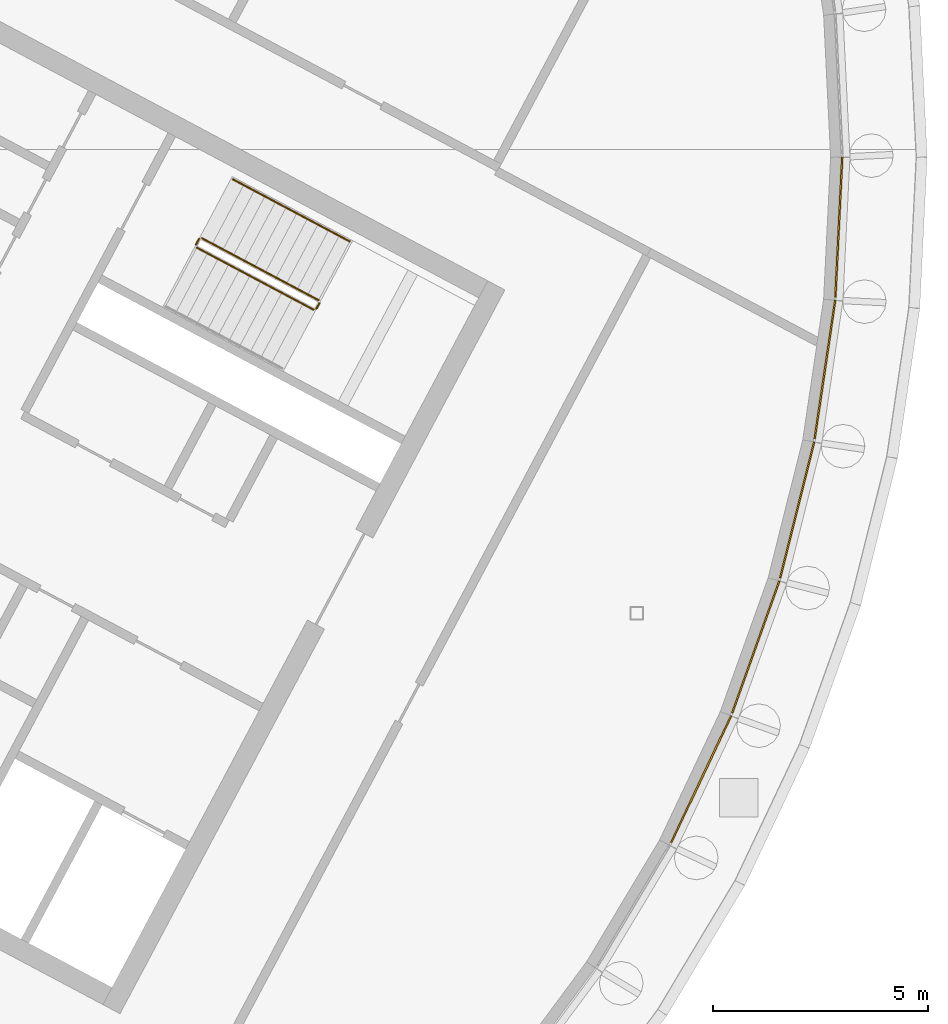
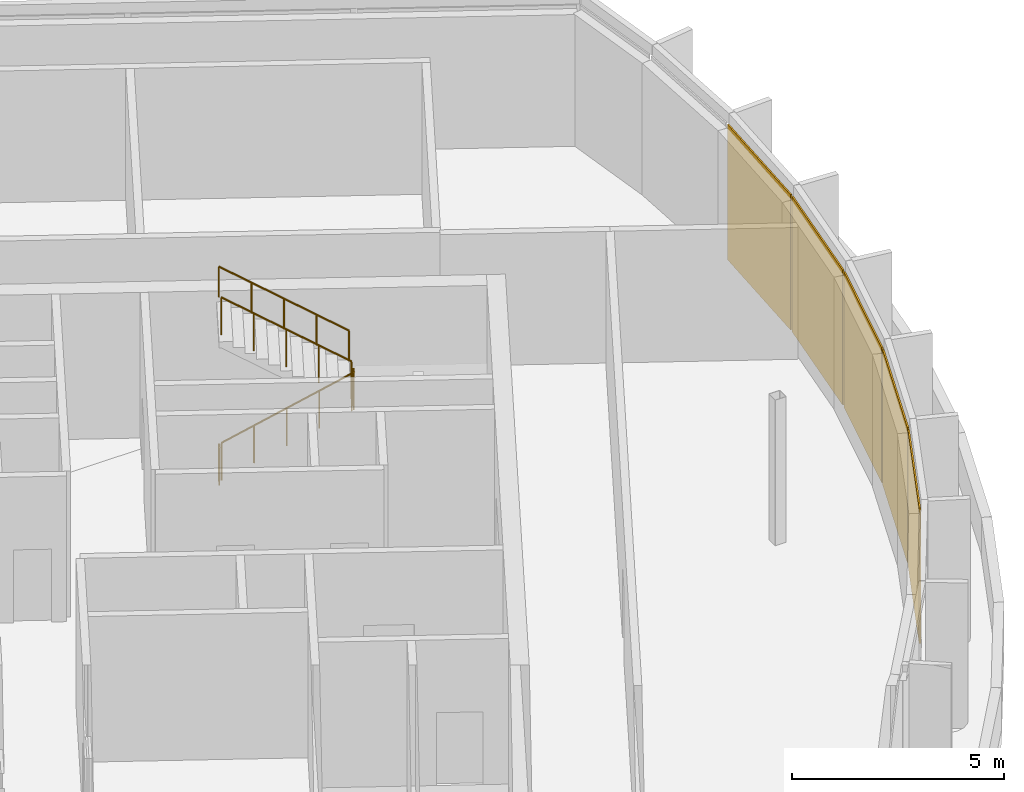
# One storey, part 12 of 13: 5 coverings, 5 railings, 5 elements without a shape of their own.
"""IFC4 building model written with IfcOpenShell, lengths in metres."""

from ifc_helpers import new_model, si_unit, direction, frame, origin, origin_2d, place, context, subcontext, project, spatial, polyline, rectangle, outline, extrude, material, layer, layer_set, type_object, element, aggregate, save


model = new_model("IFC4")

# Units and contexts
model_context = context("Model", 3, precision=1e-05, world=origin(), true_north=direction((0.0, 1.0)))
body_context = subcontext(model_context, "Body", "Model", "MODEL_VIEW")
ifc_project = project(units=[si_unit("LENGTHUNIT", "METRE"), si_unit("AREAUNIT", "SQUARE_METRE"), si_unit("VOLUMEUNIT", "CUBIC_METRE"), si_unit("PLANEANGLEUNIT", "RADIAN"), si_unit("MASSUNIT", "GRAM", prefix="KILO")], contexts=[model_context])

# Site, building, storey
site_placement = place(None, origin())
site = spatial("IfcSite", under=ifc_project, at=site_placement, CompositionType="ELEMENT")
building_placement = place(site_placement, origin())
building = spatial("IfcBuilding", under=site, at=building_placement, Name="Cormorant Relay Tower", CompositionType="ELEMENT")
storey_placement = place(building_placement, frame((0.0, 0.0, 353.39990234375)))
storey = spatial("IfcBuildingStorey", under=building, at=storey_placement, Name="C7", CompositionType="ELEMENT", Elevation=353.39990234375)

# Curtain wall, covering
ifc_material_1 = material(Name="Aluminium 6063-T6 anodised bronze", Category="aluminium")
ifc_layer_1 = layer(ifc_material_1, 0.199951171875)
ifc_layer_set_1 = layer_set([ifc_layer_1], Name="CW3 crown screen wall")
curtain_wall_type = type_object("IfcCurtainWallType", Name="CW3 crown screen wall", PredefinedType="NOTDEFINED", material=ifc_layer_set_1)
curtain_wall_1_placement = place(storey_placement, origin())
curtain_wall_1 = element("IfcCurtainWall", 1, at=curtain_wall_1_placement, inside=storey, type_object=curtain_wall_type, Name="CW3 curtain wall 9", PredefinedType="NOTDEFINED")
ifc_material_2 = material(Name="Perforated bronze anodised aluminium screen", Category="aluminium")
ifc_layer_2 = layer(ifc_material_2, 0.0400390625)
ifc_layer_set_2 = layer_set([ifc_layer_2], Name="CW3 perforated bronze screen panel 40")
covering_type = type_object("IfcCoveringType", Name="CW3 perforated bronze screen panel 40", PredefinedType="CLADDING", material=ifc_layer_set_2)
covering_1_placement = place(storey_placement, frame((-9.0, 6.632080078125, 0.000244140625), z_axis=(0.0, 0.0, 1.0), x_axis=(0.42755509343, 0.903989293123, 0.0)))
covering_1 = element("IfcCovering", 2, at=covering_1_placement, type_object=covering_type, Name="CW3 panel X00", PredefinedType="CLADDING", context=body_context, shape_type="SweptSolid", body=[
    extrude(rectangle(XDim=3.26171875, YDim=0.0400390625, at=origin_2d()), origin(), (0.0, 0.0, 1.0), 3.89990234375),
])
aggregate(curtain_wall_1, [covering_1])

curtain_wall_2_placement = place(storey_placement, origin())
curtain_wall_2 = element("IfcCurtainWall", 3, at=curtain_wall_2_placement, inside=storey, type_object=curtain_wall_type, Name="CW3 curtain wall 10", PredefinedType="NOTDEFINED")
covering_2_placement = place(storey_placement, frame((-7.727294921875, 9.71435546875, 0.000244140625), z_axis=(0.0, 0.0, 1.0), x_axis=(0.336889853392, 0.941544065183, 0.0)))
covering_2 = element("IfcCovering", 4, at=covering_2_placement, type_object=covering_type, Name="CW3 panel X00", PredefinedType="CLADDING", context=body_context, shape_type="SweptSolid", body=[
    extrude(rectangle(XDim=3.26171875, YDim=0.0400390625, at=origin_2d()), origin(), (0.0, 0.0, 1.0), 3.89990234375),
])
aggregate(curtain_wall_2, [covering_2])

curtain_wall_3_placement = place(storey_placement, origin())
curtain_wall_3 = element("IfcCurtainWall", 5, at=curtain_wall_3_placement, inside=storey, type_object=curtain_wall_type, Name="CW3 curtain wall 11", PredefinedType="NOTDEFINED")
covering_3_placement = place(storey_placement, frame((-6.7626953125, 12.906494140625, 0.000244140625), z_axis=(0.0, 0.0, 1.0), x_axis=(0.242980179903, 0.970031253195, 0.0)))
covering_3 = element("IfcCovering", 6, at=covering_3_placement, type_object=covering_type, Name="CW3 panel X00", PredefinedType="CLADDING", context=body_context, shape_type="SweptSolid", body=[
    extrude(rectangle(XDim=3.26171875, YDim=0.0400390625, at=origin_2d()), origin(), (0.0, 0.0, 1.0), 3.89990234375),
])
aggregate(curtain_wall_3, [covering_3])

curtain_wall_4_placement = place(storey_placement, origin())
curtain_wall_4 = element("IfcCurtainWall", 7, at=curtain_wall_4_placement, inside=storey, type_object=curtain_wall_type, Name="CW3 curtain wall 12", PredefinedType="NOTDEFINED")
covering_4_placement = place(storey_placement, frame((-6.115966796875, 16.177490234375, 0.000244140625), z_axis=(0.0, 0.0, 1.0), x_axis=(0.146730474455, 0.989176509965, 0.0)))
covering_4 = element("IfcCovering", 8, at=covering_4_placement, type_object=covering_type, Name="CW3 panel X00", PredefinedType="CLADDING", context=body_context, shape_type="SweptSolid", body=[
    extrude(rectangle(XDim=3.26171875, YDim=0.0400390625, at=origin_2d()), origin(), (0.0, 0.0, 1.0), 3.89990234375),
])
aggregate(curtain_wall_4, [covering_4])

curtain_wall_5_placement = place(storey_placement, origin())
curtain_wall_5 = element("IfcCurtainWall", 9, at=curtain_wall_5_placement, inside=storey, type_object=curtain_wall_type, Name="CW3 curtain wall 13", PredefinedType="NOTDEFINED")
covering_5_placement = place(storey_placement, frame((-5.792724609375, 19.496337890625, 0.000244140625), z_axis=(0.0, 0.0, 1.0), x_axis=(0.049067674327, 0.998795456205, 0.0)))
covering_5 = element("IfcCovering", 10, at=covering_5_placement, type_object=covering_type, Name="CW3 panel X00", PredefinedType="CLADDING", context=body_context, shape_type="SweptSolid", body=[
    extrude(rectangle(XDim=3.26171875, YDim=0.0400390625, at=origin_2d()), origin(), (0.0, 0.0, 1.0), 3.89990234375),
])
aggregate(curtain_wall_5, [covering_5])

# Railings
ifc_material_3 = material(Name="Steel ASTM A572 Grade 50 (Fy 345 MPa)", Category="steel")
railing_type_1 = type_object("IfcRailingType", Name="Stair guard 1100", PredefinedType="GUARDRAIL", material=ifc_material_3)
railing_1_placement = place(storey_placement, frame((-20.75048828125, 19.017822265625, 0.175048828125)))
element("IfcRailing", 11, at=railing_1_placement, inside=storey, type_object=railing_type_1, Name="C7 A1 stair guard 1", PredefinedType="GUARDRAIL", context=body_context, shape_type="SweptSolid", body=[
    extrude(outline(polyline([(0.022216796875, 0.00927734375), (0.00927734375, 0.022216796875), (-0.00927734375, 0.022216796875), (-0.022216796875, 0.00927734375), (-0.022216796875, -0.00927734375), (-0.00927734375, -0.022216796875), (0.00927734375, -0.022216796875), (0.022216796875, -0.00927734375), (0.022216796875, 0.00927734375)])), frame((0.0, 0.0, 1.076171875), z_axis=(0.748747275397, -0.39806817173, 0.530018158408), x_axis=(0.469427602063, 0.882970965786, 0.0)), (0.0, 0.0, 1.0), 3.632080078125),
    extrude(outline(polyline([(0.019287109375, 0.008056640625), (0.008056640625, 0.019287109375), (-0.008056640625, 0.019287109375), (-0.019287109375, 0.008056640625), (-0.019287109375, -0.008056640625), (-0.008056640625, -0.019287109375), (0.008056640625, -0.019287109375), (0.019287109375, -0.008056640625), (0.019287109375, 0.008056640625)])), origin(), (0.0, 0.0, 1.0), 1.052001953125),
    extrude(outline(polyline([(0.019287109375, 0.008056640625), (0.008056640625, 0.019287109375), (-0.008056640625, 0.019287109375), (-0.019287109375, 0.008056640625), (-0.019287109375, -0.008056640625), (-0.008056640625, -0.019287109375), (0.008056640625, -0.019287109375), (0.019287109375, -0.008056640625), (0.019287109375, 0.008056640625)])), frame((0.679931640625, -0.361328125, 0.481201171875)), (0.0, 0.0, 1.0), 1.052001953125),
    extrude(outline(polyline([(0.019287109375, 0.008056640625), (0.008056640625, 0.019287109375), (-0.008056640625, 0.019287109375), (-0.019287109375, 0.008056640625), (-0.019287109375, -0.008056640625), (-0.008056640625, -0.019287109375), (0.008056640625, -0.019287109375), (0.019287109375, -0.008056640625), (0.019287109375, 0.008056640625)])), frame((1.35986328125, -0.722900390625, 0.96240234375)), (0.0, 0.0, 1.0), 1.052001953125),
    extrude(outline(polyline([(0.019287109375, 0.008056640625), (0.008056640625, 0.019287109375), (-0.008056640625, 0.019287109375), (-0.019287109375, 0.008056640625), (-0.019287109375, -0.008056640625), (-0.008056640625, -0.019287109375), (0.008056640625, -0.019287109375), (0.019287109375, -0.008056640625), (0.019287109375, 0.008056640625)])), frame((2.03955078125, -1.08447265625, 1.44384765625)), (0.0, 0.0, 1.0), 1.052001953125),
    extrude(outline(polyline([(0.019287109375, 0.008056640625), (0.008056640625, 0.019287109375), (-0.008056640625, 0.019287109375), (-0.019287109375, 0.008056640625), (-0.019287109375, -0.008056640625), (-0.008056640625, -0.019287109375), (0.008056640625, -0.019287109375), (0.019287109375, -0.008056640625), (0.019287109375, 0.008056640625)])), frame((2.719482421875, -1.44580078125, 1.925048828125)), (0.0, 0.0, 1.0), 1.052001953125),
])
railing_2_placement = place(storey_placement, frame((-17.96337890625, 17.592529296875, 2.10009765625)))
element("IfcRailing", 12, at=railing_2_placement, inside=storey, type_object=railing_type_1, Name="C7 A1 stair guard 2", PredefinedType="GUARDRAIL", context=body_context, shape_type="SweptSolid", body=[
    extrude(outline(polyline([(0.022216796875, 0.00927734375), (0.00927734375, 0.022216796875), (-0.00927734375, 0.022216796875), (-0.022216796875, 0.00927734375), (-0.022216796875, -0.00927734375), (-0.00927734375, -0.022216796875), (0.00927734375, -0.022216796875), (0.022216796875, -0.00927734375), (0.022216796875, 0.00927734375)])), frame((0.0, 0.0, 1.076171875), z_axis=(0.46856034887, 0.8834314911, 0.0), x_axis=(-0.8834314911, 0.46856034887, 0.0)), (0.0, 0.0, 1.0), 0.150146484375),
    extrude(outline(polyline([(0.019287109375, 0.008056640625), (0.008056640625, 0.019287109375), (-0.008056640625, 0.019287109375), (-0.019287109375, 0.008056640625), (-0.019287109375, -0.008056640625), (-0.008056640625, -0.019287109375), (0.008056640625, -0.019287109375), (0.019287109375, -0.008056640625), (0.019287109375, 0.008056640625)])), origin(), (0.0, 0.0, 1.0), 1.052001953125),
    extrude(outline(polyline([(0.019287109375, 0.008056640625), (0.008056640625, 0.019287109375), (-0.008056640625, 0.019287109375), (-0.019287109375, 0.008056640625), (-0.019287109375, -0.008056640625), (-0.008056640625, -0.019287109375), (0.008056640625, -0.019287109375), (0.019287109375, -0.008056640625), (0.019287109375, 0.008056640625)])), frame((0.0703125, 0.132568359375, 0.0)), (0.0, 0.0, 1.0), 1.052001953125),
])
railing_3_placement = place(storey_placement, frame((-17.913818359375, 17.792724609375, 2.275146484375)))
element("IfcRailing", 13, at=railing_3_placement, inside=storey, type_object=railing_type_1, Name="C7 A1 stair guard 3", PredefinedType="GUARDRAIL", context=body_context, shape_type="SweptSolid", body=[
    extrude(outline(polyline([(0.022216796875, 0.00927734375), (0.00927734375, 0.022216796875), (-0.00927734375, 0.022216796875), (-0.022216796875, 0.00927734375), (-0.022216796875, -0.00927734375), (-0.00927734375, -0.022216796875), (0.00927734375, -0.022216796875), (0.022216796875, -0.00927734375), (0.022216796875, 0.00927734375)])), frame((0.0, 0.0, 1.076171875), z_axis=(-0.748747275397, 0.39806817173, 0.530018158408), x_axis=(-0.469427602063, -0.882970965786, 0.0)), (0.0, 0.0, 1.0), 3.632080078125),
    extrude(outline(polyline([(0.019287109375, 0.008056640625), (0.008056640625, 0.019287109375), (-0.008056640625, 0.019287109375), (-0.019287109375, 0.008056640625), (-0.019287109375, -0.008056640625), (-0.008056640625, -0.019287109375), (0.008056640625, -0.019287109375), (0.019287109375, -0.008056640625), (0.019287109375, 0.008056640625)])), origin(), (0.0, 0.0, 1.0), 1.052001953125),
    extrude(outline(polyline([(0.019287109375, 0.008056640625), (0.008056640625, 0.019287109375), (-0.008056640625, 0.019287109375), (-0.019287109375, 0.008056640625), (-0.019287109375, -0.008056640625), (-0.008056640625, -0.019287109375), (0.008056640625, -0.019287109375), (0.019287109375, -0.008056640625), (0.019287109375, 0.008056640625)])), frame((-0.679931640625, 0.361328125, 0.481201171875)), (0.0, 0.0, 1.0), 1.052001953125),
    extrude(outline(polyline([(0.019287109375, 0.008056640625), (0.008056640625, 0.019287109375), (-0.008056640625, 0.019287109375), (-0.019287109375, 0.008056640625), (-0.019287109375, -0.008056640625), (-0.008056640625, -0.019287109375), (0.008056640625, -0.019287109375), (0.019287109375, -0.008056640625), (0.019287109375, 0.008056640625)])), frame((-1.35986328125, 0.722900390625, 0.96240234375)), (0.0, 0.0, 1.0), 1.052001953125),
    extrude(outline(polyline([(0.019287109375, 0.008056640625), (0.008056640625, 0.019287109375), (-0.008056640625, 0.019287109375), (-0.019287109375, 0.008056640625), (-0.019287109375, -0.008056640625), (-0.008056640625, -0.019287109375), (0.008056640625, -0.019287109375), (0.019287109375, -0.008056640625), (0.019287109375, 0.008056640625)])), frame((-2.03955078125, 1.08447265625, 1.44384765625)), (0.0, 0.0, 1.0), 1.052001953125),
    extrude(outline(polyline([(0.019287109375, 0.008056640625), (0.008056640625, 0.019287109375), (-0.008056640625, 0.019287109375), (-0.019287109375, 0.008056640625), (-0.019287109375, -0.008056640625), (-0.008056640625, -0.019287109375), (0.008056640625, -0.019287109375), (0.019287109375, -0.008056640625), (0.019287109375, 0.008056640625)])), frame((-2.719482421875, 1.44580078125, 1.925048828125)), (0.0, 0.0, 1.0), 1.052001953125),
])
railing_4_placement = place(storey_placement, frame((-20.771240234375, 19.08544921875, 0.0)))
element("IfcRailing", 14, at=railing_4_placement, inside=storey, type_object=railing_type_1, Name="C7 A1 stair guard 4", PredefinedType="GUARDRAIL", context=body_context, shape_type="SweptSolid", body=[
    extrude(outline(polyline([(0.022216796875, 0.00927734375), (0.00927734375, 0.022216796875), (-0.00927734375, 0.022216796875), (-0.022216796875, 0.00927734375), (-0.022216796875, -0.00927734375), (-0.00927734375, -0.022216796875), (0.00927734375, -0.022216796875), (0.022216796875, -0.00927734375), (0.022216796875, 0.00927734375)])), frame((0.0, 0.0, 1.076171875), z_axis=(0.469828648786, 0.882757634224, 0.0), x_axis=(-0.882757634224, 0.469828648786, 0.0)), (0.0, 0.0, 1.0), 0.150146484375),
    extrude(outline(polyline([(0.019287109375, 0.008056640625), (0.008056640625, 0.019287109375), (-0.008056640625, 0.019287109375), (-0.019287109375, 0.008056640625), (-0.019287109375, -0.008056640625), (-0.008056640625, -0.019287109375), (0.008056640625, -0.019287109375), (0.019287109375, -0.008056640625), (0.019287109375, 0.008056640625)])), origin(), (0.0, 0.0, 1.0), 1.052001953125),
    extrude(outline(polyline([(0.019287109375, 0.008056640625), (0.008056640625, 0.019287109375), (-0.008056640625, 0.019287109375), (-0.019287109375, 0.008056640625), (-0.019287109375, -0.008056640625), (-0.008056640625, -0.019287109375), (0.008056640625, -0.019287109375), (0.019287109375, -0.008056640625), (0.019287109375, 0.008056640625)])), frame((0.070556640625, 0.132568359375, 0.0)), (0.0, 0.0, 1.0), 1.052001953125),
])
ifc_material_4 = material(Name="Steel ASTM A572 Grade 50 (Fy 345 MPa)", Category="steel")
railing_type_2 = type_object("IfcRailingType", Name="Stair handrail 900", PredefinedType="HANDRAIL", material=ifc_material_4)
railing_5_placement = place(storey_placement, frame((-17.18603515625, 19.1611328125, 2.275146484375)))
element("IfcRailing", 15, at=railing_5_placement, inside=storey, type_object=railing_type_2, Name="C7 A1 stair handrail 2", PredefinedType="HANDRAIL", context=body_context, shape_type="SweptSolid", body=[
    extrude(outline(polyline([(0.022216796875, 0.00927734375), (0.00927734375, 0.022216796875), (-0.00927734375, 0.022216796875), (-0.022216796875, 0.00927734375), (-0.022216796875, -0.00927734375), (-0.00927734375, -0.022216796875), (0.00927734375, -0.022216796875), (0.022216796875, -0.00927734375), (0.022216796875, 0.00927734375)])), frame((0.0, 0.0, 0.8759765625), z_axis=(-0.748727239859, 0.398124736663, 0.530003975787), x_axis=(-0.469489399267, -0.882938108802, 0.0)), (0.0, 0.0, 1.0), 3.632080078125),
    extrude(outline(polyline([(0.019287109375, 0.008056640625), (0.008056640625, 0.019287109375), (-0.008056640625, 0.019287109375), (-0.019287109375, 0.008056640625), (-0.019287109375, -0.008056640625), (-0.008056640625, -0.019287109375), (0.008056640625, -0.019287109375), (0.019287109375, -0.008056640625), (0.019287109375, 0.008056640625)])), origin(), (0.0, 0.0, 1.0), 0.851806640625),
    extrude(outline(polyline([(0.019287109375, 0.008056640625), (0.008056640625, 0.019287109375), (-0.008056640625, 0.019287109375), (-0.019287109375, 0.008056640625), (-0.019287109375, -0.008056640625), (-0.008056640625, -0.019287109375), (0.008056640625, -0.019287109375), (0.019287109375, -0.008056640625), (0.019287109375, 0.008056640625)])), frame((-0.679931640625, 0.361572265625, 0.481201171875)), (0.0, 0.0, 1.0), 0.851806640625),
    extrude(outline(polyline([(0.019287109375, 0.008056640625), (0.008056640625, 0.019287109375), (-0.008056640625, 0.019287109375), (-0.019287109375, 0.008056640625), (-0.019287109375, -0.008056640625), (-0.008056640625, -0.019287109375), (0.008056640625, -0.019287109375), (0.019287109375, -0.008056640625), (0.019287109375, 0.008056640625)])), frame((-1.35986328125, 0.72314453125, 0.96240234375)), (0.0, 0.0, 1.0), 0.851806640625),
    extrude(outline(polyline([(0.019287109375, 0.008056640625), (0.008056640625, 0.019287109375), (-0.008056640625, 0.019287109375), (-0.019287109375, 0.008056640625), (-0.019287109375, -0.008056640625), (-0.008056640625, -0.019287109375), (0.008056640625, -0.019287109375), (0.019287109375, -0.008056640625), (0.019287109375, 0.008056640625)])), frame((-2.03955078125, 1.08447265625, 1.44384765625)), (0.0, 0.0, 1.0), 0.851806640625),
    extrude(outline(polyline([(0.019287109375, 0.008056640625), (0.008056640625, 0.019287109375), (-0.008056640625, 0.019287109375), (-0.019287109375, 0.008056640625), (-0.019287109375, -0.008056640625), (-0.008056640625, -0.019287109375), (0.008056640625, -0.019287109375), (0.019287109375, -0.008056640625), (0.019287109375, 0.008056640625)])), frame((-2.719482421875, 1.446044921875, 1.925048828125)), (0.0, 0.0, 1.0), 0.851806640625),
])

save(model, "model.ifc")
